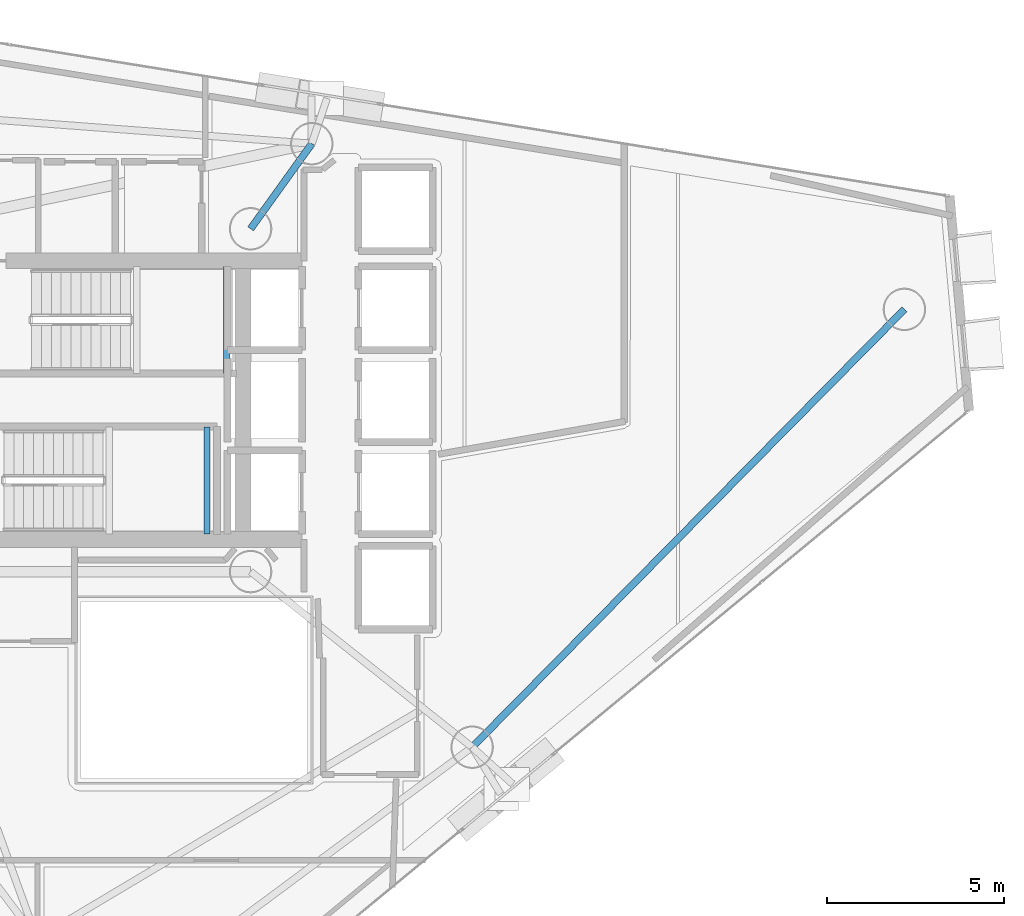
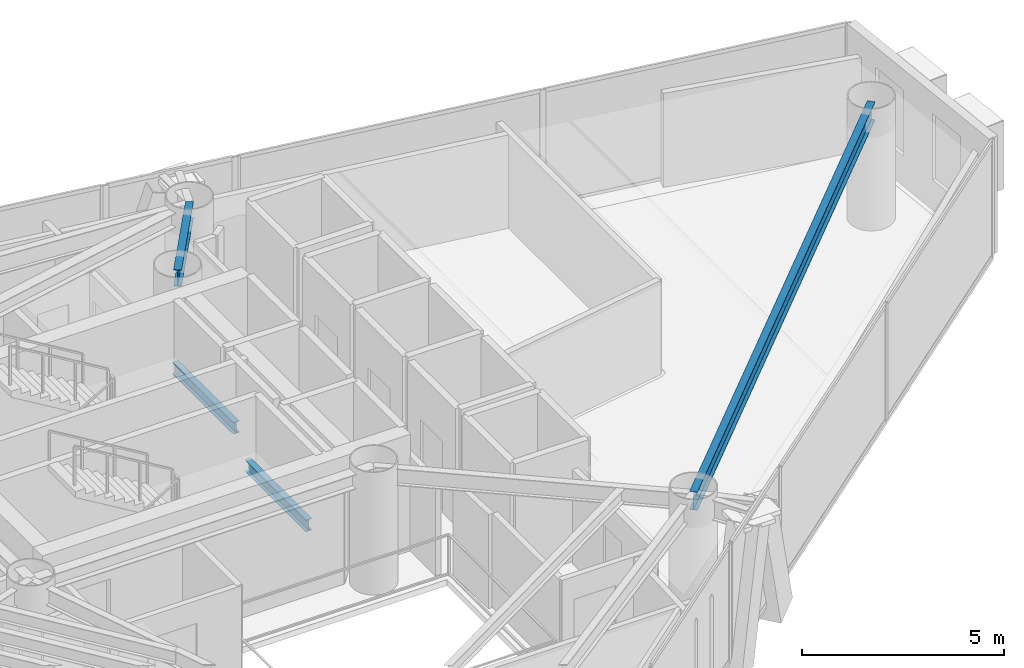
# One storey, part 11 of 21: 4 beams.
"""IFC4 building model written with IfcOpenShell, lengths in metres."""

from ifc_helpers import new_model, si_unit, direction, frame, origin, origin_2d, place, context, subcontext, project, spatial, i_section, extrude, material, material_profile, profile_set, type_object, element, save


model = new_model("IFC4")

# Units and contexts
model_context = context("Model", 3, precision=1e-05, world=origin(), true_north=direction((0.0, 1.0)))
body_context = subcontext(model_context, "Body", "Model", "MODEL_VIEW")
ifc_project = project(units=[si_unit("LENGTHUNIT", "METRE"), si_unit("AREAUNIT", "SQUARE_METRE"), si_unit("VOLUMEUNIT", "CUBIC_METRE"), si_unit("PLANEANGLEUNIT", "RADIAN"), si_unit("MASSUNIT", "GRAM", prefix="KILO")], contexts=[model_context])

# Site, building, storey
site_placement = place(None, origin())
site = spatial("IfcSite", under=ifc_project, at=site_placement, CompositionType="ELEMENT")
building_placement = place(site_placement, origin())
building = spatial("IfcBuilding", under=site, at=building_placement, Name="Qianvela Tower", CompositionType="ELEMENT")
storey_placement = place(building_placement, frame((0.0, 0.0, 211.39990234375)))
storey = spatial("IfcBuildingStorey", under=building, at=storey_placement, Name="L54", CompositionType="ELEMENT", Elevation=211.39990234375)

# Beams
ifc_material_1 = material(Name="Steel Q355B", Category="steel")
ifc_material_profile_1 = material_profile(ifc_material_1, i_section(OverallWidth=0.175048828125, OverallDepth=0.35009765625, WebThickness=0.007080078125, FlangeThickness=0.010986328125, at=origin_2d()), Name="HN350x175x7x11")
ifc_profile_set_1 = profile_set([ifc_material_profile_1], Name="Steel Q355B")
beam_type_1 = type_object("IfcBeamType", Name="BM-HN350-JOIST", PredefinedType="JOIST", material=ifc_profile_set_1)
for number, where, z_axis, x_axis, name in (
    (1, (37.719970703125, 29.4599609375, 1.47509765625), (0.0, 1.0, 0.0), (-1.0, 0.0, 0.0), "L54 Stair ST-1 Landing Support Beam 1.2"),
    (2, (37.169921875, 24.919921875, 1.47509765625), (0.0, 1.0, 0.0), (-1.0, 0.0, 0.0), "L54 Stair ST-2 Landing Support Beam 1.2"),
):
    element("IfcBeam", number, at=place(storey_placement, frame(where, z_axis=z_axis, x_axis=x_axis)), inside=storey, type_object=beam_type_1, Name=name, PredefinedType="JOIST", context=body_context, shape_type="SweptSolid", body=[
        extrude(i_section(OverallWidth=0.175048828125, OverallDepth=0.35009765625, WebThickness=0.007080078125, FlangeThickness=0.010986328125, at=origin_2d()), origin(), (0.0, 0.0, 1.0), 3.02001953125),
    ])
ifc_material_2 = material(Name="Steel Q355B", Category="steel")
ifc_material_profile_2 = material_profile(ifc_material_2, i_section(OverallWidth=0.199951171875, OverallDepth=0.5, WebThickness=0.010009765625, FlangeThickness=0.01611328125, at=origin_2d()), Name="HN500x200x10x16")
ifc_profile_set_2 = profile_set([ifc_material_profile_2], Name="Steel Q355B")
beam_type_2 = type_object("IfcBeamType", Name="BM-HN500-GIRD", PredefinedType="BEAM", material=ifc_profile_set_2)
beam_1_placement = place(storey_placement, frame((38.39990234375, 33.550048828125, 3.26806640625), z_axis=(0.583742907536, 0.811938555496, 0.0), x_axis=(-0.811938555496, 0.583742907536, 0.0)))
element("IfcBeam", 3, at=beam_1_placement, inside=storey, type_object=beam_type_2, Name="L54 Radial Primary Floor Girder 2", PredefinedType="BEAM", context=body_context, shape_type="SweptSolid", body=[
    extrude(i_section(OverallWidth=0.199951171875, OverallDepth=0.5, WebThickness=0.010009765625, FlangeThickness=0.01611328125, at=origin_2d()), origin(), (0.0, 0.0, 1.0), 2.965576171875),
])
ifc_material_3 = material(Name="Steel Q355B", Category="steel")
ifc_material_profile_3 = material_profile(ifc_material_3, i_section(OverallWidth=0.199951171875, OverallDepth=0.550048828125, WebThickness=0.010009765625, FlangeThickness=0.01611328125, at=origin_2d()), Name="HN550x200x10x16")
ifc_profile_set_3 = profile_set([ifc_material_profile_3], Name="Steel Q355B")
beam_type_3 = type_object("IfcBeamType", Name="BM-HN550-GIRD", PredefinedType="BEAM", material=ifc_profile_set_3)
beam_2_placement = place(storey_placement, frame((44.6669921875, 18.883056640625, 3.2431640625), z_axis=(0.702583270685, 0.711601537205, 0.0), x_axis=(-0.711601537205, 0.702583270685, 0.0)))
element("IfcBeam", 4, at=beam_2_placement, inside=storey, type_object=beam_type_3, Name="L54 Perimeter Ring Spandrel Girder 6", PredefinedType="BEAM", context=body_context, shape_type="SweptSolid", body=[
    extrude(i_section(OverallWidth=0.199951171875, OverallDepth=0.550048828125, WebThickness=0.010009765625, FlangeThickness=0.01611328125, at=origin_2d()), origin(), (0.0, 0.0, 1.0), 17.4072265625),
])

save(model, "model.ifc")
